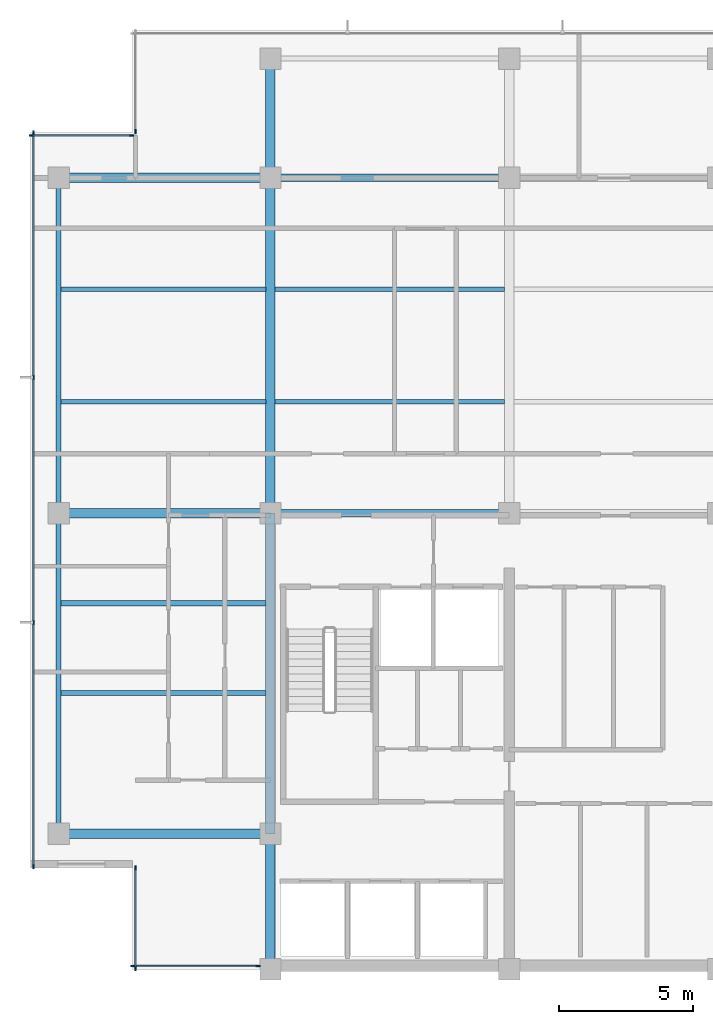
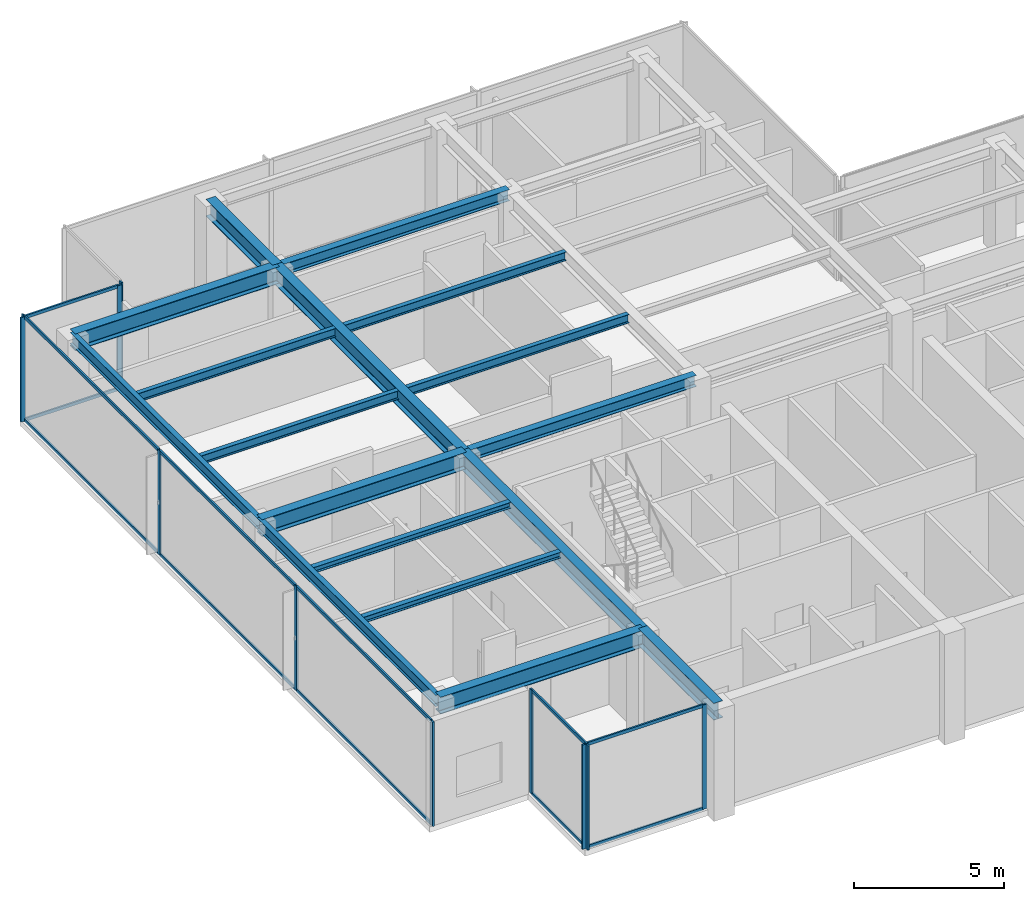
# One storey, part 2 of 11: 23 members, 17 beams, 5 elements without a shape of their own.
"""IFC4 building model written with IfcOpenShell, lengths in metres."""

from ifc_helpers import new_model, si_unit, direction, frame, origin, origin_2d, place, context, subcontext, project, spatial, rectangle, i_section, extrude, material, layer, layer_set, material_profile, profile_set, type_object, element, aggregate, save


model = new_model("IFC4")

# Units and contexts
model_context = context("Model", 3, precision=1e-05, world=origin(), true_north=direction((0.0, 1.0)))
body_context = subcontext(model_context, "Body", "Model", "MODEL_VIEW")
ifc_project = project(units=[si_unit("LENGTHUNIT", "METRE"), si_unit("AREAUNIT", "SQUARE_METRE"), si_unit("VOLUMEUNIT", "CUBIC_METRE"), si_unit("PLANEANGLEUNIT", "RADIAN"), si_unit("MASSUNIT", "GRAM", prefix="KILO")], contexts=[model_context])

# Site, building, storey
site_placement = place(None, origin())
site = spatial("IfcSite", under=ifc_project, at=site_placement, CompositionType="ELEMENT")
building_placement = place(site_placement, origin())
building = spatial("IfcBuilding", under=site, at=building_placement, Name="Qalmaran Belvedere Hotel", CompositionType="ELEMENT")
storey_placement = place(building_placement, frame((0.0, 0.0, 285.39990234375)))
storey = spatial("IfcBuildingStorey", under=building, at=storey_placement, Name="L74", CompositionType="ELEMENT", Elevation=285.39990234375)

# Beams
ifc_material_1 = material(Name="Steel S355JR", Category="steel")
ifc_material_profile_1 = material_profile(ifc_material_1, i_section(OverallWidth=0.201904296875, OverallDepth=0.2470703125, WebThickness=0.00732421875, FlangeThickness=0.010986328125, FilletRadius=0.011962890625, at=origin_2d()), Name="W250X49")
ifc_profile_set_1 = profile_set([ifc_material_profile_1], Name="Steel S355JR")
beam_type_1 = type_object("IfcBeamType", Name="BM-JST-W250X49", PredefinedType="JOIST", material=ifc_profile_set_1)
for number, where, z_axis, x_axis, name in (
    (1, (12.493896484375, 13.800048828125, 4.13671875), (1.0, 0.0, 0.0), (0.0, 1.0, 0.0), "L74 West Wing Joist 031"),
    (2, (12.493896484375, 17.14990234375, 4.13671875), (1.0, 0.0, 0.0), (0.0, 1.0, 0.0), "L74 West Wing Joist 033"),
):
    element("IfcBeam", number, at=place(storey_placement, frame(where, z_axis=z_axis, x_axis=x_axis)), inside=storey, type_object=beam_type_1, Name=name, PredefinedType="JOIST", context=body_context, shape_type="SweptSolid", body=[
        extrude(i_section(OverallWidth=0.201904296875, OverallDepth=0.2470703125, WebThickness=0.00732421875, FlangeThickness=0.010986328125, FilletRadius=0.011962890625, at=origin_2d()), origin(), (0.0, 0.0, 1.0), 7.630615234375),
    ])
ifc_material_profile_2 = material_profile(ifc_material_1, i_section(OverallWidth=0.172119140625, OverallDepth=0.35791015625, WebThickness=0.0078125, FlangeThickness=0.01318359375, FilletRadius=0.014892578125, at=origin_2d()), Name="W360X57")
ifc_profile_set_2 = profile_set([ifc_material_profile_2], Name="Steel S355JR")
beam_type_2 = type_object("IfcBeamType", Name="BM-SB4-W360X57", PredefinedType="BEAM", material=ifc_profile_set_2)
beam_1_placement = place(storey_placement, frame((12.493896484375, 24.64990234375, 4.0810546875), z_axis=(1.0, 0.0, 0.0), x_axis=(0.0, 1.0, 0.0)))
element("IfcBeam", 3, at=beam_1_placement, inside=storey, type_object=beam_type_2, Name="L74 West Secondary Beam 024", PredefinedType="BEAM", context=body_context, shape_type="SweptSolid", body=[
    extrude(i_section(OverallWidth=0.172119140625, OverallDepth=0.35791015625, WebThickness=0.0078125, FlangeThickness=0.01318359375, FilletRadius=0.014892578125, at=origin_2d()), origin(), (0.0, 0.0, 1.0), 7.630615234375),
])
beam_2_placement = place(storey_placement, frame((20.4755859375, 24.64990234375, 4.0810546875), z_axis=(1.0, 0.0, 0.0), x_axis=(0.0, 1.0, 0.0)))
element("IfcBeam", 4, at=beam_2_placement, inside=storey, type_object=beam_type_2, Name="L74 Secondary Floor Beam 025", PredefinedType="BEAM", context=body_context, shape_type="SweptSolid", body=[
    extrude(i_section(OverallWidth=0.172119140625, OverallDepth=0.35791015625, WebThickness=0.0078125, FlangeThickness=0.01318359375, FilletRadius=0.014892578125, at=origin_2d()), origin(), (0.0, 0.0, 1.0), 8.548828125),
])
beam_3_placement = place(storey_placement, frame((12.493896484375, 28.85009765625, 4.0810546875), z_axis=(1.0, 0.0, 0.0), x_axis=(0.0, 1.0, 0.0)))
element("IfcBeam", 5, at=beam_3_placement, inside=storey, type_object=beam_type_2, Name="L74 West Secondary Beam 028", PredefinedType="BEAM", context=body_context, shape_type="SweptSolid", body=[
    extrude(i_section(OverallWidth=0.172119140625, OverallDepth=0.35791015625, WebThickness=0.0078125, FlangeThickness=0.01318359375, FilletRadius=0.014892578125, at=origin_2d()), origin(), (0.0, 0.0, 1.0), 7.630615234375),
])
beam_4_placement = place(storey_placement, frame((20.4755859375, 28.85009765625, 4.0810546875), z_axis=(1.0, 0.0, 0.0), x_axis=(0.0, 1.0, 0.0)))
element("IfcBeam", 6, at=beam_4_placement, inside=storey, type_object=beam_type_2, Name="L74 Secondary Floor Beam 029", PredefinedType="BEAM", context=body_context, shape_type="SweptSolid", body=[
    extrude(i_section(OverallWidth=0.172119140625, OverallDepth=0.35791015625, WebThickness=0.0078125, FlangeThickness=0.01318359375, FilletRadius=0.014892578125, at=origin_2d()), origin(), (0.0, 0.0, 1.0), 8.548828125),
])
ifc_material_profile_3 = material_profile(ifc_material_1, i_section(OverallWidth=0.19189453125, OverallDepth=0.462890625, WebThickness=0.010498046875, FlangeThickness=0.017578125, FilletRadius=0.01611328125, at=origin_2d()), Name="W460X89")
ifc_profile_set_3 = profile_set([ifc_material_profile_3], Name="Steel S355JR")
beam_type_3 = type_object("IfcBeamType", Name="BM-SP2-W460X89", PredefinedType="SPANDREL", material=ifc_profile_set_3)
beam_5_placement = place(storey_placement, frame((12.39990234375, 8.550048828125, 4.028564453125), z_axis=(0.0, 1.0, 0.0), x_axis=(-1.0, 0.0, 0.0)))
element("IfcBeam", 7, at=beam_5_placement, inside=storey, type_object=beam_type_3, Name="L74 Perimeter Spandrel 01", PredefinedType="SPANDREL", context=body_context, shape_type="SweptSolid", body=[
    extrude(i_section(OverallWidth=0.19189453125, OverallDepth=0.462890625, WebThickness=0.010498046875, FlangeThickness=0.017578125, FilletRadius=0.01611328125, at=origin_2d()), origin(), (0.0, 0.0, 1.0), 11.949951171875),
])
beam_6_placement = place(storey_placement, frame((12.39990234375, 20.5, 4.028564453125), z_axis=(0.0, 1.0, 0.0), x_axis=(-1.0, 0.0, 0.0)))
element("IfcBeam", 8, at=beam_6_placement, inside=storey, type_object=beam_type_3, Name="L74 Perimeter Spandrel 02", PredefinedType="SPANDREL", context=body_context, shape_type="SweptSolid", body=[
    extrude(i_section(OverallWidth=0.19189453125, OverallDepth=0.462890625, WebThickness=0.010498046875, FlangeThickness=0.017578125, FilletRadius=0.01611328125, at=origin_2d()), origin(), (0.0, 0.0, 1.0), 12.5),
])
ifc_material_profile_4 = material_profile(ifc_material_1, i_section(OverallWidth=0.35498046875, OverallDepth=0.695068359375, WebThickness=0.015380859375, FlangeThickness=0.02490234375, FilletRadius=0.02197265625, at=origin_2d()), Name="W690X217")
ifc_profile_set_4 = profile_set([ifc_material_profile_4], Name="Steel S355JR")
beam_type_4 = type_object("IfcBeamType", Name="BM-Z1-W690X217", PredefinedType="USERDEFINED", material=ifc_profile_set_4)
beam_7_placement = place(storey_placement, frame((20.300048828125, 20.5, 3.91259765625), z_axis=(0.0, 1.0, 0.0), x_axis=(-1.0, 0.0, 0.0)))
element("IfcBeam", 9, at=beam_7_placement, inside=storey, type_object=beam_type_4, Name="L74 Mid-Plate N-S Girder 11", ObjectType="GIRDER", PredefinedType="USERDEFINED", context=body_context, shape_type="SweptSolid", body=[
    extrude(i_section(OverallWidth=0.35498046875, OverallDepth=0.695068359375, WebThickness=0.015380859375, FlangeThickness=0.02490234375, FilletRadius=0.02197265625, at=origin_2d()), origin(), (0.0, 0.0, 1.0), 12.5),
])
beam_8_placement = place(storey_placement, frame((20.300048828125, 33.0, 3.91259765625), z_axis=(0.0, 1.0, 0.0), x_axis=(-1.0, 0.0, 0.0)))
element("IfcBeam", 10, at=beam_8_placement, inside=storey, type_object=beam_type_4, Name="L74 North Bay Girder 12", ObjectType="GIRDER", PredefinedType="USERDEFINED", context=body_context, shape_type="SweptSolid", body=[
    extrude(i_section(OverallWidth=0.35498046875, OverallDepth=0.695068359375, WebThickness=0.015380859375, FlangeThickness=0.02490234375, FilletRadius=0.02197265625, at=origin_2d()), origin(), (0.0, 0.0, 1.0), 4.449951171875),
])
for number, where, z_axis, x_axis, name in (
    (11, (12.39990234375, 8.550048828125, 3.91259765625), (1.0, 0.0, 0.0), (0.0, 1.0, 0.0), "L74 West Wing Girder 19"),
    (12, (12.39990234375, 20.5, 3.91259765625), (1.0, 0.0, 0.0), (0.0, 1.0, 0.0), "L74 West Wing Girder 20"),
    (13, (12.39990234375, 33.0, 3.91259765625), (1.0, 0.0, 0.0), (0.0, 1.0, 0.0), "L74 West Wing Girder 21"),
):
    element("IfcBeam", number, at=place(storey_placement, frame(where, z_axis=z_axis, x_axis=x_axis)), inside=storey, type_object=beam_type_4, Name=name, ObjectType="GIRDER", PredefinedType="USERDEFINED", context=body_context, shape_type="SweptSolid", body=[
        extrude(i_section(OverallWidth=0.35498046875, OverallDepth=0.695068359375, WebThickness=0.015380859375, FlangeThickness=0.02490234375, FilletRadius=0.02197265625, at=origin_2d()), origin(), (0.0, 0.0, 1.0), 7.900146484375),
    ])
beam_9_placement = place(storey_placement, frame((20.300048828125, 3.5, 3.91259765625), z_axis=(0.0, 1.0, 0.0), x_axis=(-1.0, 0.0, 0.0)))
element("IfcBeam", 14, at=beam_9_placement, inside=storey, type_object=beam_type_4, Name="L74 West Core Edge Girder A", ObjectType="GIRDER", PredefinedType="USERDEFINED", context=body_context, shape_type="SweptSolid", body=[
    extrude(i_section(OverallWidth=0.35498046875, OverallDepth=0.695068359375, WebThickness=0.015380859375, FlangeThickness=0.02490234375, FilletRadius=0.02197265625, at=origin_2d()), origin(), (0.0, 0.0, 1.0), 5.050048828125),
])
beam_10_placement = place(storey_placement, frame((20.300048828125, 8.550048828125, 3.91259765625), z_axis=(0.0, 1.0, 0.0), x_axis=(-1.0, 0.0, 0.0)))
element("IfcBeam", 15, at=beam_10_placement, inside=storey, type_object=beam_type_4, Name="L74 West Core Edge Girder B", ObjectType="GIRDER", PredefinedType="USERDEFINED", context=body_context, shape_type="SweptSolid", body=[
    extrude(i_section(OverallWidth=0.35498046875, OverallDepth=0.695068359375, WebThickness=0.015380859375, FlangeThickness=0.02490234375, FilletRadius=0.02197265625, at=origin_2d()), origin(), (0.0, 0.0, 1.0), 11.949951171875),
])
ifc_material_profile_5 = material_profile(ifc_material_1, i_section(OverallWidth=0.280029296875, OverallDepth=0.462890625, WebThickness=0.0107421875, FlangeThickness=0.017333984375, FilletRadius=0.01611328125, at=origin_2d()), Name="W460X113")
ifc_profile_set_5 = profile_set([ifc_material_profile_5], Name="Steel S355JR")
beam_type_5 = type_object("IfcBeamType", Name="BM-Z5-W460X113", PredefinedType="USERDEFINED", material=ifc_profile_set_5)
for number, where, z_axis, x_axis, name in (
    (16, (20.300048828125, 20.5, 4.028564453125), (1.0, 0.0, 0.0), (0.0, 1.0, 0.0), "L74 Interior E-W Girder 06"),
    (17, (20.300048828125, 33.0, 4.028564453125), (1.0, 0.0, 0.0), (0.0, 1.0, 0.0), "L74 Interior E-W Girder 09"),
):
    element("IfcBeam", number, at=place(storey_placement, frame(where, z_axis=z_axis, x_axis=x_axis)), inside=storey, type_object=beam_type_5, Name=name, ObjectType="GIRDER", PredefinedType="USERDEFINED", context=body_context, shape_type="SweptSolid", body=[
        extrude(i_section(OverallWidth=0.280029296875, OverallDepth=0.462890625, WebThickness=0.0107421875, FlangeThickness=0.017333984375, FilletRadius=0.01611328125, at=origin_2d()), origin(), (0.0, 0.0, 1.0), 8.89990234375),
    ])

# Curtain wall, members
ifc_material_2 = material(Name="Anodised Bronze Aluminium", Category="aluminium")
ifc_layer = layer(ifc_material_2, 0.18505859375, Name="Anodised Bronze Aluminium")
ifc_layer_set = layer_set([ifc_layer], Name="Anodised Bronze Aluminium")
curtain_wall_type = type_object("IfcCurtainWallType", Name="CW6-TOWER-SKY", PredefinedType="NOTDEFINED", material=ifc_layer_set)
curtain_wall_1_placement = place(storey_placement, origin())
curtain_wall_1 = element("IfcCurtainWall", 18, at=curtain_wall_1_placement, inside=storey, type_object=curtain_wall_type, Name="L74 Curtain Wall CW6", PredefinedType="NOTDEFINED")
ifc_material_profile_6 = material_profile(ifc_material_2, rectangle(XDim=0.06494140625, YDim=0.1650390625, at=origin_2d()), Name="CWM65X165")
ifc_profile_set_6 = profile_set([ifc_material_profile_6], Name="Anodised Bronze Aluminium")
member_type_1 = type_object("IfcMemberType", Name="CWM-65X165", PredefinedType="MULLION", material=ifc_profile_set_6)
member_1_placement = place(storey_placement, frame((15.1826171875, 3.6201171875, 0.0), z_axis=(0.0, 0.0, 1.0), x_axis=(0.0, 1.0, 0.0)))
member_1 = element("IfcMember", 19, at=member_1_placement, type_object=member_type_1, Name="CW6 mullion 1", PredefinedType="MULLION", context=body_context, shape_type="SweptSolid", body=[
    extrude(rectangle(XDim=0.06494140625, YDim=0.1650390625, at=origin_2d()), origin(), (0.0, 0.0, 1.0), 4.260009765625),
])
member_2_placement = place(storey_placement, frame((19.827392578125, 3.6201171875, 0.0), z_axis=(0.0, 0.0, 1.0), x_axis=(0.0, 1.0, 0.0)))
member_2 = element("IfcMember", 20, at=member_2_placement, type_object=member_type_1, Name="CW6 mullion 2", PredefinedType="MULLION", context=body_context, shape_type="SweptSolid", body=[
    extrude(rectangle(XDim=0.06494140625, YDim=0.1650390625, at=origin_2d()), origin(), (0.0, 0.0, 1.0), 4.260009765625),
])

# Curtain wall, member
curtain_wall_2_placement = place(storey_placement, origin())
curtain_wall_2 = element("IfcCurtainWall", 21, at=curtain_wall_2_placement, inside=storey, type_object=curtain_wall_type, Name="L74 Curtain Wall CW6", PredefinedType="NOTDEFINED")
member_3_placement = place(storey_placement, frame((15.27001953125, 34.732421875, 0.0), z_axis=(0.0, 0.0, 1.0), x_axis=(1.0, 0.0, 0.0)))
member_3 = element("IfcMember", 22, at=member_3_placement, type_object=member_type_1, Name="CW6 mullion 2", PredefinedType="MULLION", context=body_context, shape_type="SweptSolid", body=[
    extrude(rectangle(XDim=0.06494140625, YDim=0.1650390625, at=origin_2d()), origin(), (0.0, 0.0, 1.0), 4.260009765625),
])
aggregate(curtain_wall_2, [member_3])

# Curtain wall, members
curtain_wall_3_placement = place(storey_placement, origin())
curtain_wall_3 = element("IfcCurtainWall", 23, at=curtain_wall_3_placement, inside=storey, type_object=curtain_wall_type, Name="L74 Curtain Wall CW6", PredefinedType="NOTDEFINED")
member_4_placement = place(storey_placement, frame((15.117431640625, 34.580078125, 0.0), z_axis=(0.0, 0.0, 1.0), x_axis=(0.0, -1.0, 0.0)))
member_4 = element("IfcMember", 24, at=member_4_placement, type_object=member_type_1, Name="CW6 mullion 1", PredefinedType="MULLION", context=body_context, shape_type="SweptSolid", body=[
    extrude(rectangle(XDim=0.06494140625, YDim=0.1650390625, at=origin_2d()), origin(), (0.0, 0.0, 1.0), 4.260009765625),
])
member_5_placement = place(storey_placement, frame((11.382568359375, 34.580078125, 0.0), z_axis=(0.0, 0.0, 1.0), x_axis=(0.0, -1.0, 0.0)))
member_5 = element("IfcMember", 25, at=member_5_placement, type_object=member_type_1, Name="CW6 mullion 2", PredefinedType="MULLION", context=body_context, shape_type="SweptSolid", body=[
    extrude(rectangle(XDim=0.06494140625, YDim=0.1650390625, at=origin_2d()), origin(), (0.0, 0.0, 1.0), 4.260009765625),
])

curtain_wall_4_placement = place(storey_placement, origin())
curtain_wall_4 = element("IfcCurtainWall", 26, at=curtain_wall_4_placement, inside=storey, type_object=curtain_wall_type, Name="L74 Curtain Wall CW6", PredefinedType="NOTDEFINED")
member_6_placement = place(storey_placement, frame((11.469970703125, 34.66748046875, 0.0), z_axis=(0.0, 0.0, 1.0), x_axis=(1.0, 0.0, 0.0)))
member_6 = element("IfcMember", 27, at=member_6_placement, type_object=member_type_1, Name="CW6 mullion 1", PredefinedType="MULLION", context=body_context, shape_type="SweptSolid", body=[
    extrude(rectangle(XDim=0.06494140625, YDim=0.1650390625, at=origin_2d()), origin(), (0.0, 0.0, 1.0), 4.260009765625),
])
member_7_placement = place(storey_placement, frame((11.469970703125, 25.566650390625, 0.0), z_axis=(0.0, 0.0, 1.0), x_axis=(1.0, 0.0, 0.0)))
member_7 = element("IfcMember", 28, at=member_7_placement, type_object=member_type_1, Name="CW6 mullion 2", PredefinedType="MULLION", context=body_context, shape_type="SweptSolid", body=[
    extrude(rectangle(XDim=0.06494140625, YDim=0.1650390625, at=origin_2d()), origin(), (0.0, 0.0, 1.0), 4.260009765625),
])
member_8_placement = place(storey_placement, frame((11.469970703125, 16.433349609375, 0.0), z_axis=(0.0, 0.0, 1.0), x_axis=(1.0, 0.0, 0.0)))
member_8 = element("IfcMember", 29, at=member_8_placement, type_object=member_type_1, Name="CW6 mullion 3", PredefinedType="MULLION", context=body_context, shape_type="SweptSolid", body=[
    extrude(rectangle(XDim=0.06494140625, YDim=0.1650390625, at=origin_2d()), origin(), (0.0, 0.0, 1.0), 4.260009765625),
])
member_9_placement = place(storey_placement, frame((11.469970703125, 7.33251953125, 0.0), z_axis=(0.0, 0.0, 1.0), x_axis=(1.0, 0.0, 0.0)))
member_9 = element("IfcMember", 30, at=member_9_placement, type_object=member_type_1, Name="CW6 mullion 4", PredefinedType="MULLION", context=body_context, shape_type="SweptSolid", body=[
    extrude(rectangle(XDim=0.06494140625, YDim=0.1650390625, at=origin_2d()), origin(), (0.0, 0.0, 1.0), 4.260009765625),
])

curtain_wall_5_placement = place(storey_placement, origin())
curtain_wall_5 = element("IfcCurtainWall", 31, at=curtain_wall_5_placement, inside=storey, type_object=curtain_wall_type, Name="L74 Curtain Wall CW6", PredefinedType="NOTDEFINED")
member_10_placement = place(storey_placement, frame((15.27001953125, 7.267578125, 0.0), z_axis=(0.0, 0.0, 1.0), x_axis=(1.0, 0.0, 0.0)))
member_10 = element("IfcMember", 32, at=member_10_placement, type_object=member_type_1, Name="CW6 mullion 1", PredefinedType="MULLION", context=body_context, shape_type="SweptSolid", body=[
    extrude(rectangle(XDim=0.06494140625, YDim=0.1650390625, at=origin_2d()), origin(), (0.0, 0.0, 1.0), 4.260009765625),
])
member_11_placement = place(storey_placement, frame((15.27001953125, 3.532470703125, 0.0), z_axis=(0.0, 0.0, 1.0), x_axis=(1.0, 0.0, 0.0)))
member_11 = element("IfcMember", 33, at=member_11_placement, type_object=member_type_1, Name="CW6 mullion 2", PredefinedType="MULLION", context=body_context, shape_type="SweptSolid", body=[
    extrude(rectangle(XDim=0.06494140625, YDim=0.1650390625, at=origin_2d()), origin(), (0.0, 0.0, 1.0), 4.260009765625),
])

# Member
ifc_material_profile_7 = material_profile(ifc_material_2, rectangle(XDim=0.06494140625, YDim=0.1298828125, at=origin_2d()), Name="CWT65X130")
ifc_profile_set_7 = profile_set([ifc_material_profile_7], Name="Anodised Bronze Aluminium")
member_type_2 = type_object("IfcMemberType", Name="CWT-65X130", PredefinedType="USERDEFINED", material=ifc_profile_set_7)
member_12_placement = place(storey_placement, frame((15.215087890625, 3.6201171875, 0.03271484375), z_axis=(1.0, 0.0, 0.0), x_axis=(0.0, 1.0, 0.0)))
member_12 = element("IfcMember", 34, at=member_12_placement, type_object=member_type_2, Name="CW6 transom 1.1", ObjectType="TRANSOM", PredefinedType="USERDEFINED", context=body_context, shape_type="SweptSolid", body=[
    extrude(rectangle(XDim=0.06494140625, YDim=0.1298828125, at=origin_2d()), origin(), (0.0, 0.0, 1.0), 4.579833984375),
])

member_13_placement = place(storey_placement, frame((15.215087890625, 3.6201171875, 4.2275390625), z_axis=(1.0, 0.0, 0.0), x_axis=(0.0, 1.0, 0.0)))
member_13 = element("IfcMember", 35, at=member_13_placement, type_object=member_type_2, Name="CW6 transom 1.2", ObjectType="TRANSOM", PredefinedType="USERDEFINED", context=body_context, shape_type="SweptSolid", body=[
    extrude(rectangle(XDim=0.06494140625, YDim=0.1298828125, at=origin_2d()), origin(), (0.0, 0.0, 1.0), 4.579833984375),
])

aggregate(curtain_wall_1, [member_1, member_2, member_12, member_13])

member_14_placement = place(storey_placement, frame((15.0849609375, 34.580078125, 0.03271484375), z_axis=(-1.0, 0.0, 0.0), x_axis=(0.0, -1.0, 0.0)))
member_14 = element("IfcMember", 36, at=member_14_placement, type_object=member_type_2, Name="CW6 transom 1.1", ObjectType="TRANSOM", PredefinedType="USERDEFINED", context=body_context, shape_type="SweptSolid", body=[
    extrude(rectangle(XDim=0.06494140625, YDim=0.1298828125, at=origin_2d()), origin(), (0.0, 0.0, 1.0), 3.669921875),
])

member_15_placement = place(storey_placement, frame((15.0849609375, 34.580078125, 4.2275390625), z_axis=(-1.0, 0.0, 0.0), x_axis=(0.0, -1.0, 0.0)))
member_15 = element("IfcMember", 37, at=member_15_placement, type_object=member_type_2, Name="CW6 transom 1.2", ObjectType="TRANSOM", PredefinedType="USERDEFINED", context=body_context, shape_type="SweptSolid", body=[
    extrude(rectangle(XDim=0.06494140625, YDim=0.1298828125, at=origin_2d()), origin(), (0.0, 0.0, 1.0), 3.669921875),
])

aggregate(curtain_wall_3, [member_4, member_5, member_14, member_15])

member_16_placement = place(storey_placement, frame((11.469970703125, 34.635009765625, 0.03271484375), z_axis=(0.0, -1.0, 0.0), x_axis=(1.0, 0.0, 0.0)))
member_16 = element("IfcMember", 38, at=member_16_placement, type_object=member_type_2, Name="CW6 transom 1.1", ObjectType="TRANSOM", PredefinedType="USERDEFINED", context=body_context, shape_type="SweptSolid", body=[
    extrude(rectangle(XDim=0.06494140625, YDim=0.1298828125, at=origin_2d()), origin(), (0.0, 0.0, 1.0), 9.035888671875),
])

member_17_placement = place(storey_placement, frame((11.469970703125, 34.635009765625, 4.2275390625), z_axis=(0.0, -1.0, 0.0), x_axis=(1.0, 0.0, 0.0)))
member_17 = element("IfcMember", 39, at=member_17_placement, type_object=member_type_2, Name="CW6 transom 1.2", ObjectType="TRANSOM", PredefinedType="USERDEFINED", context=body_context, shape_type="SweptSolid", body=[
    extrude(rectangle(XDim=0.06494140625, YDim=0.1298828125, at=origin_2d()), origin(), (0.0, 0.0, 1.0), 9.035888671875),
])

member_18_placement = place(storey_placement, frame((11.469970703125, 25.5341796875, 0.03271484375), z_axis=(0.0, -1.0, 0.0), x_axis=(1.0, 0.0, 0.0)))
member_18 = element("IfcMember", 40, at=member_18_placement, type_object=member_type_2, Name="CW6 transom 2.1", ObjectType="TRANSOM", PredefinedType="USERDEFINED", context=body_context, shape_type="SweptSolid", body=[
    extrude(rectangle(XDim=0.06494140625, YDim=0.1298828125, at=origin_2d()), origin(), (0.0, 0.0, 1.0), 9.068359375),
])

member_19_placement = place(storey_placement, frame((11.469970703125, 25.5341796875, 4.2275390625), z_axis=(0.0, -1.0, 0.0), x_axis=(1.0, 0.0, 0.0)))
member_19 = element("IfcMember", 41, at=member_19_placement, type_object=member_type_2, Name="CW6 transom 2.2", ObjectType="TRANSOM", PredefinedType="USERDEFINED", context=body_context, shape_type="SweptSolid", body=[
    extrude(rectangle(XDim=0.06494140625, YDim=0.1298828125, at=origin_2d()), origin(), (0.0, 0.0, 1.0), 9.068359375),
])

member_20_placement = place(storey_placement, frame((11.469970703125, 16.40087890625, 0.03271484375), z_axis=(0.0, -1.0, 0.0), x_axis=(1.0, 0.0, 0.0)))
member_20 = element("IfcMember", 42, at=member_20_placement, type_object=member_type_2, Name="CW6 transom 3.1", ObjectType="TRANSOM", PredefinedType="USERDEFINED", context=body_context, shape_type="SweptSolid", body=[
    extrude(rectangle(XDim=0.06494140625, YDim=0.1298828125, at=origin_2d()), origin(), (0.0, 0.0, 1.0), 9.035888671875),
])

member_21_placement = place(storey_placement, frame((11.469970703125, 16.40087890625, 4.2275390625), z_axis=(0.0, -1.0, 0.0), x_axis=(1.0, 0.0, 0.0)))
member_21 = element("IfcMember", 43, at=member_21_placement, type_object=member_type_2, Name="CW6 transom 3.2", ObjectType="TRANSOM", PredefinedType="USERDEFINED", context=body_context, shape_type="SweptSolid", body=[
    extrude(rectangle(XDim=0.06494140625, YDim=0.1298828125, at=origin_2d()), origin(), (0.0, 0.0, 1.0), 9.035888671875),
])

aggregate(curtain_wall_4, [member_6, member_7, member_8, member_9, member_16, member_17, member_18, member_19, member_20, member_21])

member_22_placement = place(storey_placement, frame((15.27001953125, 7.235107421875, 0.03271484375), z_axis=(0.0, -1.0, 0.0), x_axis=(1.0, 0.0, 0.0)))
member_22 = element("IfcMember", 44, at=member_22_placement, type_object=member_type_2, Name="CW6 transom 1.1", ObjectType="TRANSOM", PredefinedType="USERDEFINED", context=body_context, shape_type="SweptSolid", body=[
    extrude(rectangle(XDim=0.06494140625, YDim=0.1298828125, at=origin_2d()), origin(), (0.0, 0.0, 1.0), 3.670166015625),
])

member_23_placement = place(storey_placement, frame((15.27001953125, 7.235107421875, 4.2275390625), z_axis=(0.0, -1.0, 0.0), x_axis=(1.0, 0.0, 0.0)))
member_23 = element("IfcMember", 45, at=member_23_placement, type_object=member_type_2, Name="CW6 transom 1.2", ObjectType="TRANSOM", PredefinedType="USERDEFINED", context=body_context, shape_type="SweptSolid", body=[
    extrude(rectangle(XDim=0.06494140625, YDim=0.1298828125, at=origin_2d()), origin(), (0.0, 0.0, 1.0), 3.670166015625),
])

aggregate(curtain_wall_5, [member_10, member_11, member_22, member_23])

save(model, "model.ifc")
